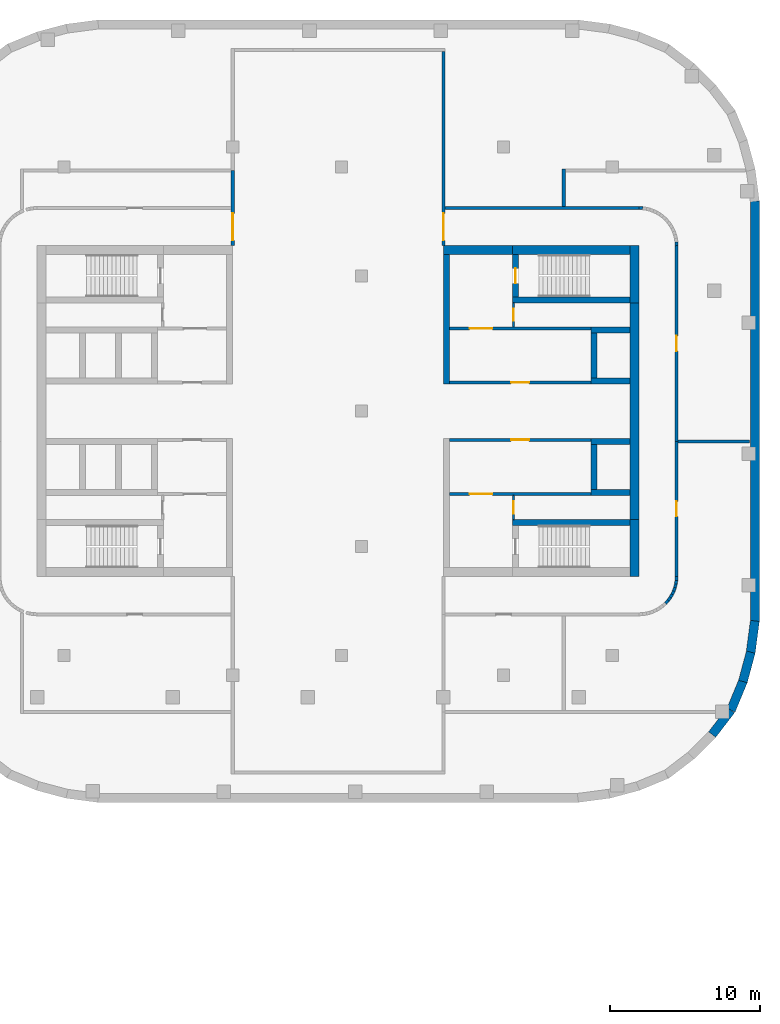
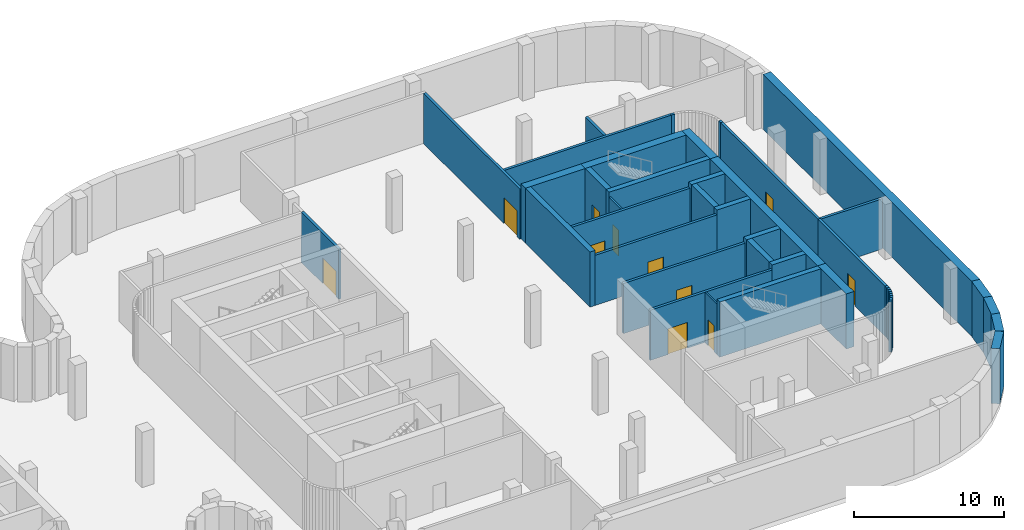
# One storey, part 12 of 16: 43 walls, 11 doors, 11 openings.
"""IFC4 building model written with IfcOpenShell, lengths in metres."""

from ifc_helpers import new_model, si_unit, direction, frame, frame_2d, origin, place, context, subcontext, project, spatial, rectangle, extrude, material, layer, layer_set, type_object, element, fill, save


model = new_model("IFC4")

# Units and contexts
model_context = context("Model", 3, precision=1e-05, world=origin(), true_north=direction((0.0, 1.0)))
body_context = subcontext(model_context, "Body", "Model", "MODEL_VIEW")
ifc_project = project(units=[si_unit("LENGTHUNIT", "METRE"), si_unit("AREAUNIT", "SQUARE_METRE"), si_unit("VOLUMEUNIT", "CUBIC_METRE"), si_unit("PLANEANGLEUNIT", "RADIAN"), si_unit("MASSUNIT", "GRAM", prefix="KILO")], contexts=[model_context])

# Site, building, storey
site_placement = place(None, origin())
site = spatial("IfcSite", under=ifc_project, at=site_placement, CompositionType="ELEMENT")
building_placement = place(site_placement, origin())
building = spatial("IfcBuilding", under=site, at=building_placement, Name="Skarvind Civic Tower", CompositionType="ELEMENT")
storey_placement = place(building_placement, frame((0.0, 0.0, -4.5)))
storey = spatial("IfcBuildingStorey", under=building, at=storey_placement, Name="B1", CompositionType="ELEMENT", Elevation=-4.5)

# Walls
ifc_material_1 = material(Name="Concrete C40", Category="concrete")
ifc_layer_1 = layer(ifc_material_1, 0.60009765625)
ifc_layer_set_1 = layer_set([ifc_layer_1], Name="Basement retaining wall 600 C40")
wall_type_1 = type_object("IfcWallType", Name="Basement retaining wall 600 C40", PredefinedType="SHEAR", material=ifc_layer_set_1)
wall_1_placement = place(storey_placement, frame((174.699951171875, 141.978271484375, 0.0), z_axis=(0.0, 0.0, 1.0), x_axis=(0.0, -1.0, 0.0)))
element("IfcWall", 1, at=wall_1_placement, inside=storey, type_object=wall_type_1, Name="Basement retaining wall B1 53", PredefinedType="SHEAR", context=body_context, shape_type="SweptSolid", body=[
    extrude(rectangle(XDim=27.95654296875, YDim=0.60009765625, at=frame_2d((13.978271484375, 0.0))), origin(), (0.0, 0.0, 1.0), 4.5),
])
wall_2_placement = place(storey_placement, frame((174.70263671875, 114.06103515625, 0.0), z_axis=(0.0, 0.0, 1.0), x_axis=(-0.130558200013, -0.991440646942, 0.0)))
element("IfcWall", 2, at=wall_2_placement, inside=storey, type_object=wall_type_1, Name="Basement retaining wall B1 54", PredefinedType="SHEAR", context=body_context, shape_type="SweptSolid", body=[
    extrude(rectangle(XDim=2.1318359375, YDim=0.60009765625, at=frame_2d((1.06591796875, 0.0))), origin(), (0.0, 0.0, 1.0), 4.5),
])
wall_3_placement = place(storey_placement, frame((174.431884765625, 111.986083984375, 0.0), z_axis=(0.0, 0.0, 1.0), x_axis=(-0.258804467146, -0.965929732323, 0.0)))
element("IfcWall", 3, at=wall_3_placement, inside=storey, type_object=wall_type_1, Name="Basement retaining wall B1 55", PredefinedType="SHEAR", context=body_context, shape_type="SweptSolid", body=[
    extrude(rectangle(XDim=2.0224609375, YDim=0.60009765625, at=frame_2d((1.01123046875, 0.0))), origin(), (0.0, 0.0, 1.0), 4.5),
])
wall_4_placement = place(storey_placement, frame((173.921142578125, 110.0693359375, 0.0), z_axis=(0.0, 0.0, 1.0), x_axis=(-0.382375593358, -0.924006983526, 0.0)))
element("IfcWall", 4, at=wall_4_placement, inside=storey, type_object=wall_type_1, Name="Basement retaining wall B1 56", PredefinedType="SHEAR", context=body_context, shape_type="SweptSolid", body=[
    extrude(rectangle(XDim=2.114013671875, YDim=0.60009765625, at=frame_2d((1.05712890625, 0.0))), origin(), (0.0, 0.0, 1.0), 4.5),
])
wall_5_placement = place(storey_placement, frame((173.109375, 108.12841796875, 0.0), z_axis=(0.0, 0.0, 1.0), x_axis=(-0.609058260448, -0.793125485267, 0.0)))
element("IfcWall", 5, at=wall_5_placement, inside=storey, type_object=wall_type_1, Name="Basement retaining wall B1 57", PredefinedType="SHEAR", context=body_context, shape_type="SweptSolid", body=[
    extrude(rectangle(XDim=2.0439453125, YDim=0.60009765625, at=frame_2d((1.02197265625, 0.0))), origin(), (0.0, 0.0, 1.0), 4.5),
])

# Wall, opening, door
ifc_material_2 = material(Name="Fire-rated masonry partition", Category="masonry")
ifc_layer_2 = layer(ifc_material_2, 0.199951171875)
ifc_layer_set_2 = layer_set([ifc_layer_2], Name="Core enclosure wall 200")
wall_type_2 = type_object("IfcWallType", Name="Core enclosure wall 200", PredefinedType="PARTITIONING", material=ifc_layer_set_2)
wall_6_placement = place(storey_placement, frame((163.800048828125, 126.10009765625, 0.0), z_axis=(0.0, 0.0, 1.0), x_axis=(-1.0, 0.0, 0.0)))
wall_6 = element("IfcWall", 6, at=wall_6_placement, inside=storey, type_object=wall_type_2, Name="Core wall CB", PredefinedType="PARTITIONING", context=body_context, shape_type="SweptSolid", body=[
    extrude(rectangle(XDim=9.400146484375, YDim=0.199951171875, at=frame_2d((4.7001953125, 0.0))), origin(), (0.0, 0.0, 1.0), 4.10009765625),
])
opening_1_placement = place(wall_6_placement, frame((4.10009765625, 0.0, 0.0)))
opening_1 = element("IfcOpeningElement", 7, at=opening_1_placement, cuts=wall_6, Name="Opening D-B1-CB-01", PredefinedType="OPENING", context=body_context, shape_type="SweptSolid", body=[
    extrude(rectangle(XDim=1.199951171875, YDim=2.10009765625, at=frame_2d((0.60009765625, 1.050048828125))), frame((0.0, 0.10986328125, 0.0), z_axis=(0.0, -1.0, 0.0), x_axis=(1.0, 0.0, 0.0)), (0.0, 0.0, 1.0), 0.219970703125),
])
ifc_material_3 = material(Name="Fire-rated steel door", Category="steel")
door_type_1 = type_object("IfcDoorType", Name="Core lobby door 1200", OperationType="NOTDEFINED", PredefinedType="DOOR", material=ifc_material_3)
door_1_placement = place(opening_1_placement, origin())
door_1 = element("IfcDoor", 8, at=door_1_placement, inside=storey, type_object=door_type_1, Name="Fire door", OperationType="DOUBLE_DOOR_SINGLE_SWING", OverallHeight=2.10009765625, OverallWidth=1.199951171875, PredefinedType="DOOR", context=body_context, shape_type="SweptSolid", body=[
    extrude(rectangle(XDim=1.199951171875, YDim=2.10009765625, at=frame_2d((0.60009765625, 1.050048828125))), frame((0.0, 0.02490234375, 0.0), z_axis=(0.0, -1.0, 0.0), x_axis=(1.0, 0.0, 0.0)), (0.0, 0.0, 1.0), 0.050048828125),
])
fill(opening_1, door_1)

wall_7_placement = place(storey_placement, frame((163.800048828125, 122.5, 0.0), z_axis=(0.0, 0.0, 1.0), x_axis=(-1.0, 0.0, 0.0)))
wall_7 = element("IfcWall", 9, at=wall_7_placement, inside=storey, type_object=wall_type_2, Name="Core wall CB", PredefinedType="PARTITIONING", context=body_context, shape_type="SweptSolid", body=[
    extrude(rectangle(XDim=9.400146484375, YDim=0.199951171875, at=frame_2d((4.7001953125, 0.0))), origin(), (0.0, 0.0, 1.0), 4.10009765625),
])
opening_2_placement = place(wall_7_placement, frame((6.550048828125, 0.0, 0.0)))
opening_2 = element("IfcOpeningElement", 10, at=opening_2_placement, cuts=wall_7, Name="Opening D-B1-CB-02", PredefinedType="OPENING", context=body_context, shape_type="SweptSolid", body=[
    extrude(rectangle(XDim=1.5, YDim=2.10009765625, at=frame_2d((0.75, 1.050048828125))), frame((0.0, 0.10986328125, 0.0), z_axis=(0.0, -1.0, 0.0), x_axis=(1.0, 0.0, 0.0)), (0.0, 0.0, 1.0), 0.219970703125),
])
door_type_2 = type_object("IfcDoorType", Name="Fire door 1500", OperationType="NOTDEFINED", PredefinedType="DOOR", material=ifc_material_3)
door_2_placement = place(opening_2_placement, origin())
door_2 = element("IfcDoor", 11, at=door_2_placement, inside=storey, type_object=door_type_2, Name="Fire door", OperationType="DOUBLE_DOOR_SINGLE_SWING", OverallHeight=2.10009765625, OverallWidth=1.5, PredefinedType="DOOR", context=body_context, shape_type="SweptSolid", body=[
    extrude(rectangle(XDim=1.5, YDim=2.10009765625, at=frame_2d((0.75, 1.050048828125))), frame((0.0, 0.02490234375, 0.0), z_axis=(0.0, -1.0, 0.0), x_axis=(1.0, 0.0, 0.0)), (0.0, 0.0, 1.0), 0.050048828125),
])
fill(opening_2, door_2)

wall_8_placement = place(storey_placement, frame((154.39990234375, 129.89990234375, 0.0), z_axis=(0.0, 0.0, 1.0), x_axis=(1.0, 0.0, 0.0)))
wall_8 = element("IfcWall", 12, at=wall_8_placement, inside=storey, type_object=wall_type_2, Name="Core wall CB", PredefinedType="PARTITIONING", context=body_context, shape_type="SweptSolid", body=[
    extrude(rectangle(XDim=9.400146484375, YDim=0.199951171875, at=frame_2d((4.7001953125, 0.0))), origin(), (0.0, 0.0, 1.0), 4.10009765625),
])
opening_3_placement = place(wall_8_placement, frame((4.10009765625, 0.0, 0.0)))
opening_3 = element("IfcOpeningElement", 13, at=opening_3_placement, cuts=wall_8, Name="Opening D-B1-CB-05", PredefinedType="OPENING", context=body_context, shape_type="SweptSolid", body=[
    extrude(rectangle(XDim=1.199951171875, YDim=2.10009765625, at=frame_2d((0.60009765625, 1.050048828125))), frame((0.0, 0.10986328125, 0.0), z_axis=(0.0, -1.0, 0.0), x_axis=(1.0, 0.0, 0.0)), (0.0, 0.0, 1.0), 0.219970703125),
])
door_3_placement = place(opening_3_placement, origin())
door_3 = element("IfcDoor", 14, at=door_3_placement, inside=storey, type_object=door_type_1, Name="Fire door", OperationType="DOUBLE_DOOR_SINGLE_SWING", OverallHeight=2.10009765625, OverallWidth=1.199951171875, PredefinedType="DOOR", context=body_context, shape_type="SweptSolid", body=[
    extrude(rectangle(XDim=1.199951171875, YDim=2.10009765625, at=frame_2d((0.60009765625, 1.050048828125))), frame((0.0, 0.02490234375, 0.0), z_axis=(0.0, -1.0, 0.0), x_axis=(1.0, 0.0, 0.0)), (0.0, 0.0, 1.0), 0.050048828125),
])
fill(opening_3, door_3)

wall_9_placement = place(storey_placement, frame((154.39990234375, 133.5, 0.0), z_axis=(0.0, 0.0, 1.0), x_axis=(1.0, 0.0, 0.0)))
wall_9 = element("IfcWall", 15, at=wall_9_placement, inside=storey, type_object=wall_type_2, Name="Core wall CB", PredefinedType="PARTITIONING", context=body_context, shape_type="SweptSolid", body=[
    extrude(rectangle(XDim=9.400146484375, YDim=0.199951171875, at=frame_2d((4.7001953125, 0.0))), origin(), (0.0, 0.0, 1.0), 4.10009765625),
])
opening_4_placement = place(wall_9_placement, frame((1.35009765625, 0.0, 0.0)))
opening_4 = element("IfcOpeningElement", 16, at=opening_4_placement, cuts=wall_9, Name="Opening D-B1-CB-06", PredefinedType="OPENING", context=body_context, shape_type="SweptSolid", body=[
    extrude(rectangle(XDim=1.5, YDim=2.10009765625, at=frame_2d((0.75, 1.050048828125))), frame((0.0, 0.10986328125, 0.0), z_axis=(0.0, -1.0, 0.0), x_axis=(1.0, 0.0, 0.0)), (0.0, 0.0, 1.0), 0.219970703125),
])
door_4_placement = place(opening_4_placement, origin())
door_4 = element("IfcDoor", 17, at=door_4_placement, inside=storey, type_object=door_type_2, Name="Fire door", OperationType="DOUBLE_DOOR_SINGLE_SWING", OverallHeight=2.10009765625, OverallWidth=1.5, PredefinedType="DOOR", context=body_context, shape_type="SweptSolid", body=[
    extrude(rectangle(XDim=1.5, YDim=2.10009765625, at=frame_2d((0.75, 1.050048828125))), frame((0.0, 0.02490234375, 0.0), z_axis=(0.0, -1.0, 0.0), x_axis=(1.0, 0.0, 0.0)), (0.0, 0.0, 1.0), 0.050048828125),
])
fill(opening_4, door_4)

# Wall
ifc_material_4 = material(Name="Concrete C80", Category="concrete")
ifc_layer_3 = layer(ifc_material_4, 0.39990234375)
ifc_layer_set_3 = layer_set([ifc_layer_3], Name="Core wall 400 C80")
wall_type_3 = type_object("IfcWallType", Name="Core wall 400 C80", PredefinedType="SHEAR", material=ifc_layer_set_3)
wall_10_placement = place(storey_placement, frame((166.39990234375, 135.39990234375, 0.0), z_axis=(0.0, 0.0, 1.0), x_axis=(-1.0, 0.0, 0.0)))
element("IfcWall", 18, at=wall_10_placement, inside=storey, type_object=wall_type_3, Name="Core wall CB south stair inner B1", PredefinedType="SHEAR", context=body_context, shape_type="SweptSolid", body=[
    extrude(rectangle(XDim=7.7998046875, YDim=0.39990234375, at=frame_2d((3.89990234375, 0.0))), origin(), (0.0, 0.0, 1.0), 4.5),
])

# Wall, opening, door
wall_11_placement = place(storey_placement, frame((158.800048828125, 138.39990234375, 0.0), z_axis=(0.0, 0.0, 1.0), x_axis=(0.0, -1.0, 0.0)))
wall_11 = element("IfcWall", 19, at=wall_11_placement, inside=storey, type_object=wall_type_3, Name="Core wall CB south stair end B1", PredefinedType="SHEAR", context=body_context, shape_type="SweptSolid", body=[
    extrude(rectangle(XDim=2.7998046875, YDim=0.39990234375, at=frame_2d((1.39990234375, 0.0))), origin(), (0.0, 0.0, 1.0), 4.5),
])
opening_5_placement = place(wall_11_placement, frame((0.89990234375, 0.0, 0.0)))
opening_5 = element("IfcOpeningElement", 20, at=opening_5_placement, cuts=wall_11, Name="Opening D-B1-CB-07", PredefinedType="OPENING", context=body_context, shape_type="SweptSolid", body=[
    extrude(rectangle(XDim=1.0, YDim=2.10009765625, at=frame_2d((0.5, 1.050048828125))), frame((0.0, 0.2099609375, 0.0), z_axis=(0.0, -1.0, 0.0), x_axis=(1.0, 0.0, 0.0)), (0.0, 0.0, 1.0), 0.419921875),
])
door_type_3 = type_object("IfcDoorType", Name="Fire door 1000", OperationType="NOTDEFINED", PredefinedType="DOOR", material=ifc_material_3)
door_5_placement = place(opening_5_placement, origin())
door_5 = element("IfcDoor", 21, at=door_5_placement, inside=storey, type_object=door_type_3, Name="Fire door", OperationType="SINGLE_SWING_RIGHT", OverallHeight=2.10009765625, OverallWidth=1.0, PredefinedType="DOOR", context=body_context, shape_type="SweptSolid", body=[
    extrude(rectangle(XDim=1.0, YDim=2.10009765625, at=frame_2d((0.5, 1.050048828125))), frame((0.0, 0.02490234375, 0.0), z_axis=(0.0, -1.0, 0.0), x_axis=(1.0, 0.0, 0.0)), (0.0, 0.0, 1.0), 0.050048828125),
])
fill(opening_5, door_5)

# Walls
wall_12_placement = place(storey_placement, frame((166.39990234375, 120.60009765625, 0.0), z_axis=(0.0, 0.0, 1.0), x_axis=(-1.0, 0.0, 0.0)))
element("IfcWall", 22, at=wall_12_placement, inside=storey, type_object=wall_type_3, Name="Core wall CB north stair inner B1", PredefinedType="SHEAR", context=body_context, shape_type="SweptSolid", body=[
    extrude(rectangle(XDim=7.7998046875, YDim=0.39990234375, at=frame_2d((3.89990234375, 0.0))), origin(), (0.0, 0.0, 1.0), 4.5),
])
for number, where, z_axis, x_axis, name in (
    (23, (166.39990234375, 130.0, 0.0), (0.0, 0.0, 1.0), (-1.0, 0.0, 0.0), "Core wall CB south lift row front B1"),
    (24, (166.39990234375, 133.39990234375, 0.0), (0.0, 0.0, 1.0), (-1.0, 0.0, 0.0), "Core wall CB south lift row back B1"),
):
    element("IfcWall", number, at=place(storey_placement, frame(where, z_axis=z_axis, x_axis=x_axis)), inside=storey, type_object=wall_type_3, Name=name, PredefinedType="SHEAR", context=body_context, shape_type="SweptSolid", body=[
        extrude(rectangle(XDim=2.599853515625, YDim=0.39990234375, at=frame_2d((1.2998046875, 0.0))), origin(), (0.0, 0.0, 1.0), 4.5),
    ])
wall_13_placement = place(storey_placement, frame((164.0, 133.199951171875, 0.0), z_axis=(0.0, 0.0, 1.0), x_axis=(0.0, -1.0, 0.0)))
element("IfcWall", 25, at=wall_13_placement, inside=storey, type_object=wall_type_3, Name="Core wall CB south lift row division 1 B1", PredefinedType="SHEAR", context=body_context, shape_type="SweptSolid", body=[
    extrude(rectangle(XDim=3.0, YDim=0.39990234375, at=frame_2d((1.5, 0.0))), origin(), (0.0, 0.0, 1.0), 4.5),
])
for number, where, z_axis, x_axis, name in (
    (26, (166.39990234375, 126.0, 0.0), (0.0, 0.0, 1.0), (-1.0, 0.0, 0.0), "Core wall CB north lift row front B1"),
    (27, (166.39990234375, 122.60009765625, 0.0), (0.0, 0.0, 1.0), (-1.0, 0.0, 0.0), "Core wall CB north lift row back B1"),
):
    element("IfcWall", number, at=place(storey_placement, frame(where, z_axis=z_axis, x_axis=x_axis)), inside=storey, type_object=wall_type_3, Name=name, PredefinedType="SHEAR", context=body_context, shape_type="SweptSolid", body=[
        extrude(rectangle(XDim=2.599853515625, YDim=0.39990234375, at=frame_2d((1.2998046875, 0.0))), origin(), (0.0, 0.0, 1.0), 4.5),
    ])
wall_14_placement = place(storey_placement, frame((164.0, 125.800048828125, 0.0), z_axis=(0.0, 0.0, 1.0), x_axis=(0.0, -1.0, 0.0)))
element("IfcWall", 28, at=wall_14_placement, inside=storey, type_object=wall_type_3, Name="Core wall CB north lift row division 1 B1", PredefinedType="SHEAR", context=body_context, shape_type="SweptSolid", body=[
    extrude(rectangle(XDim=3.0, YDim=0.39990234375, at=frame_2d((1.5, 0.0))), origin(), (0.0, 0.0, 1.0), 4.5),
])
wall_15_placement = place(storey_placement, frame((154.199951171875, 138.39990234375, 0.0), z_axis=(0.0, 0.0, 1.0), x_axis=(0.0, -1.0, 0.0)))
element("IfcWall", 29, at=wall_15_placement, inside=storey, type_object=wall_type_3, Name="Core wall CB south inner face B1", PredefinedType="SHEAR", context=body_context, shape_type="SweptSolid", body=[
    extrude(rectangle(XDim=8.599853515625, YDim=0.39990234375, at=frame_2d((4.2998046875, 0.0))), origin(), (0.0, 0.0, 1.0), 4.5),
])
ifc_layer_4 = layer(ifc_material_4, 0.60009765625)
ifc_layer_set_4 = layer_set([ifc_layer_4], Name="Core wall 600 C80")
wall_type_4 = type_object("IfcWallType", Name="Core wall 600 C80", PredefinedType="SHEAR", material=ifc_layer_set_4)
wall_16_placement = place(storey_placement, frame((166.699951171875, 139.0, 0.0), z_axis=(0.0, 0.0, 1.0), x_axis=(0.0, -1.0, 0.0)))
element("IfcWall", 30, at=wall_16_placement, inside=storey, type_object=wall_type_4, Name="Core wall CB tip at the south stair B1", PredefinedType="SHEAR", context=body_context, shape_type="SweptSolid", body=[
    extrude(rectangle(XDim=3.800048828125, YDim=0.60009765625, at=frame_2d((1.89990234375, 0.0))), origin(), (0.0, 0.0, 1.0), 4.5),
])
wall_17_placement = place(storey_placement, frame((166.699951171875, 135.199951171875, 0.0), z_axis=(0.0, 0.0, 1.0), x_axis=(0.0, -1.0, 0.0)))
element("IfcWall", 31, at=wall_17_placement, inside=storey, type_object=wall_type_4, Name="Core wall CB tip between the stairs B1", PredefinedType="SHEAR", context=body_context, shape_type="SweptSolid", body=[
    extrude(rectangle(XDim=14.39990234375, YDim=0.60009765625, at=frame_2d((7.199951171875, 0.0))), origin(), (0.0, 0.0, 1.0), 4.5),
])
wall_18_placement = place(storey_placement, frame((166.699951171875, 120.800048828125, 0.0), z_axis=(0.0, 0.0, 1.0), x_axis=(0.0, -1.0, 0.0)))
element("IfcWall", 32, at=wall_18_placement, inside=storey, type_object=wall_type_4, Name="Core wall CB tip at the north stair B1", PredefinedType="SHEAR", context=body_context, shape_type="SweptSolid", body=[
    extrude(rectangle(XDim=3.800048828125, YDim=0.60009765625, at=frame_2d((1.89990234375, 0.0))), origin(), (0.0, 0.0, 1.0), 4.5),
])
wall_19_placement = place(storey_placement, frame((166.39990234375, 138.699951171875, 0.0), z_axis=(0.0, 0.0, 1.0), x_axis=(-1.0, 0.0, 0.0)))
element("IfcWall", 33, at=wall_19_placement, inside=storey, type_object=wall_type_4, Name="Core wall CB south side at the stair B1", PredefinedType="SHEAR", context=body_context, shape_type="SweptSolid", body=[
    extrude(rectangle(XDim=7.7998046875, YDim=0.60009765625, at=frame_2d((3.89990234375, 0.0))), origin(), (0.0, 0.0, 1.0), 4.5),
])
wall_20_placement = place(storey_placement, frame((158.60009765625, 138.699951171875, 0.0), z_axis=(0.0, 0.0, 1.0), x_axis=(-1.0, 0.0, 0.0)))
element("IfcWall", 34, at=wall_20_placement, inside=storey, type_object=wall_type_4, Name="Core wall CB south side B1", PredefinedType="SHEAR", context=body_context, shape_type="SweptSolid", body=[
    extrude(rectangle(XDim=4.60009765625, YDim=0.60009765625, at=frame_2d((2.300048828125, 0.0))), origin(), (0.0, 0.0, 1.0), 4.5),
])
ifc_material_5 = material(Name="Fire-rated blockwork wall, plastered", Category="masonry")
ifc_layer_5 = layer(ifc_material_5, 0.199951171875)
ifc_layer_set_5 = layer_set([ifc_layer_5], Name="FIRE WALL 200 EI 120")
wall_type_5 = type_object("IfcWallType", Name="FIRE WALL 200 EI 120", PredefinedType="PARTITIONING", material=ifc_layer_set_5)
wall_21_placement = place(storey_placement, frame((168.764892578125, 115.22802734375, 0.0), z_axis=(0.0, 0.0, 1.0), x_axis=(0.66938668015, 0.742914175687, 0.0)))
element("IfcWall", 35, at=wall_21_placement, inside=storey, type_object=wall_type_5, Name="Basement partition B1 105", PredefinedType="PARTITIONING", context=body_context, shape_type="SweptSolid", body=[
    extrude(rectangle(XDim=0.255615234375, YDim=0.199951171875, at=frame_2d((0.1279296875, 0.0))), origin(), (0.0, 0.0, 1.0), 4.10009765625),
])
wall_22_placement = place(storey_placement, frame((168.929931640625, 115.409912109375, 0.0), z_axis=(0.0, 0.0, 1.0), x_axis=(0.595707657713, 0.803201336243, 0.0)))
element("IfcWall", 36, at=wall_22_placement, inside=storey, type_object=wall_type_5, Name="Basement partition B1 107", PredefinedType="PARTITIONING", context=body_context, shape_type="SweptSolid", body=[
    extrude(rectangle(XDim=0.25537109375, YDim=0.199951171875, at=frame_2d((0.127685546875, 0.0))), origin(), (0.0, 0.0, 1.0), 4.10009765625),
])
wall_23_placement = place(storey_placement, frame((169.075927734375, 115.60693359375, 0.0), z_axis=(0.0, 0.0, 1.0), x_axis=(0.513651517527, 0.857998903579, 0.0)))
element("IfcWall", 37, at=wall_23_placement, inside=storey, type_object=wall_type_5, Name="Basement partition B1 109", PredefinedType="PARTITIONING", context=body_context, shape_type="SweptSolid", body=[
    extrude(rectangle(XDim=0.255126953125, YDim=0.199951171875, at=frame_2d((0.12744140625, 0.0))), origin(), (0.0, 0.0, 1.0), 4.10009765625),
])
wall_24_placement = place(storey_placement, frame((169.202880859375, 115.818115234375, 0.0), z_axis=(0.0, 0.0, 1.0), x_axis=(0.4287046499, 0.903444698448, 0.0)))
element("IfcWall", 38, at=wall_24_placement, inside=storey, type_object=wall_type_5, Name="Basement partition B1 111", PredefinedType="PARTITIONING", context=body_context, shape_type="SweptSolid", body=[
    extrude(rectangle(XDim=0.254638671875, YDim=0.199951171875, at=frame_2d((0.12744140625, 0.0))), origin(), (0.0, 0.0, 1.0), 4.10009765625),
])
wall_25_placement = place(storey_placement, frame((169.30810546875, 116.0380859375, 0.0), z_axis=(0.0, 0.0, 1.0), x_axis=(0.337125007331, 0.941459892631, 0.0)))
element("IfcWall", 39, at=wall_25_placement, inside=storey, type_object=wall_type_5, Name="Basement partition B1 113", PredefinedType="PARTITIONING", context=body_context, shape_type="SweptSolid", body=[
    extrude(rectangle(XDim=0.2548828125, YDim=0.199951171875, at=frame_2d((0.12744140625, 0.0))), origin(), (0.0, 0.0, 1.0), 4.10009765625),
])
wall_26_placement = place(storey_placement, frame((169.39111328125, 116.26904296875, 0.0), z_axis=(0.0, 0.0, 1.0), x_axis=(0.241636616978, 0.970366809683, 0.0)))
element("IfcWall", 40, at=wall_26_placement, inside=storey, type_object=wall_type_5, Name="Basement partition B1 115", PredefinedType="PARTITIONING", context=body_context, shape_type="SweptSolid", body=[
    extrude(rectangle(XDim=0.255615234375, YDim=0.199951171875, at=frame_2d((0.1279296875, 0.0))), origin(), (0.0, 0.0, 1.0), 4.10009765625),
])
wall_27_placement = place(storey_placement, frame((169.450927734375, 116.507080078125, 0.0), z_axis=(0.0, 0.0, 1.0), x_axis=(0.148900521377, 0.988852180426, 0.0)))
element("IfcWall", 41, at=wall_27_placement, inside=storey, type_object=wall_type_5, Name="Basement partition B1 117", PredefinedType="PARTITIONING", context=body_context, shape_type="SweptSolid", body=[
    extrude(rectangle(XDim=0.255859375, YDim=0.199951171875, at=frame_2d((0.1279296875, 0.0))), origin(), (0.0, 0.0, 1.0), 4.10009765625),
])
wall_28_placement = place(storey_placement, frame((169.488037109375, 116.75, 0.0), z_axis=(0.0, 0.0, 1.0), x_axis=(0.047427190102, 0.998874697667, 0.0)))
element("IfcWall", 42, at=wall_28_placement, inside=storey, type_object=wall_type_5, Name="Basement partition B1 119", PredefinedType="PARTITIONING", context=body_context, shape_type="SweptSolid", body=[
    extrude(rectangle(XDim=0.252197265625, YDim=0.199951171875, at=frame_2d((0.1259765625, 0.0))), origin(), (0.0, 0.0, 1.0), 4.10009765625),
])

# Wall, opening, door
wall_29_placement = place(storey_placement, frame((169.5, 126.0, 0.0), z_axis=(0.0, 0.0, 1.0), x_axis=(0.0, -1.0, 0.0)))
wall_29 = element("IfcWall", 43, at=wall_29_placement, inside=storey, type_object=wall_type_5, Name="Basement partition B1 121", PredefinedType="PARTITIONING", context=body_context, shape_type="SweptSolid", body=[
    extrude(rectangle(XDim=9.001953125, YDim=0.199951171875, at=frame_2d((4.5009765625, 0.0))), origin(), (0.0, 0.0, 1.0), 4.10009765625),
])
opening_6_placement = place(wall_29_placement, frame((3.998046875, 0.0, 0.0)))
opening_6 = element("IfcOpeningElement", 44, at=opening_6_placement, cuts=wall_29, Name="Opening B1-D218", PredefinedType="OPENING", context=body_context, shape_type="SweptSolid", body=[
    extrude(rectangle(XDim=1.0, YDim=2.10009765625, at=frame_2d((0.5, 1.050048828125))), frame((0.0, 0.10986328125, 0.0), z_axis=(0.0, -1.0, 0.0), x_axis=(1.0, 0.0, 0.0)), (0.0, 0.0, 1.0), 0.219970703125),
])
ifc_material_6 = material(Name="Painted steel fire door leaf", Category="steel")
door_type_4 = type_object("IfcDoorType", Name="FIRE DOOR 1000X2100 STEEL", OperationType="NOTDEFINED", PredefinedType="DOOR", material=ifc_material_6)
door_6_placement = place(opening_6_placement, origin())
door_6 = element("IfcDoor", 45, at=door_6_placement, inside=storey, type_object=door_type_4, Name="FIRE DOOR", OperationType="SINGLE_SWING_RIGHT", OverallHeight=2.10009765625, OverallWidth=1.0, PredefinedType="DOOR", context=body_context, shape_type="SweptSolid", body=[
    extrude(rectangle(XDim=1.0, YDim=2.10009765625, at=frame_2d((0.5, 1.050048828125))), frame((0.0, 0.02490234375, 0.0), z_axis=(0.0, -1.0, 0.0), x_axis=(1.0, 0.0, 0.0)), (0.0, 0.0, 1.0), 0.050048828125),
])
fill(opening_6, door_6)

# Wall
wall_30_placement = place(storey_placement, frame((169.60009765625, 126.0, 0.0), z_axis=(0.0, 0.0, 1.0), x_axis=(1.0, 0.0, 0.0)))
element("IfcWall", 46, at=wall_30_placement, inside=storey, type_object=wall_type_5, Name="Basement partition B1 123", PredefinedType="PARTITIONING", context=body_context, shape_type="SweptSolid", body=[
    extrude(rectangle(XDim=4.75, YDim=0.199951171875, at=frame_2d((2.375, 0.0))), origin(), (0.0, 0.0, 1.0), 4.10009765625),
])

# Wall, opening, door
ifc_layer_6 = layer(ifc_material_5, 0.199951171875)
ifc_layer_set_6 = layer_set([ifc_layer_6], Name="FIRE WALL 200 EI 60")
wall_type_6 = type_object("IfcWallType", Name="FIRE WALL 200 EI 60", PredefinedType="PARTITIONING", material=ifc_layer_set_6)
wall_31_placement = place(storey_placement, frame((140.0, 139.0, 0.0), z_axis=(0.0, 0.0, 1.0), x_axis=(0.0, 1.0, 0.0)))
wall_31 = element("IfcWall", 47, at=wall_31_placement, inside=storey, type_object=wall_type_6, Name="Basement partition B1 075", PredefinedType="PARTITIONING", context=body_context, shape_type="SweptSolid", body=[
    extrude(rectangle(XDim=5.0, YDim=0.199951171875, at=frame_2d((2.5, 0.0))), origin(), (0.0, 0.0, 1.0), 4.10009765625),
])
opening_7_placement = place(wall_31_placement, frame((0.35009765625, 0.0, 0.0)))
opening_7 = element("IfcOpeningElement", 48, at=opening_7_placement, cuts=wall_31, Name="Opening B1-D215", PredefinedType="OPENING", context=body_context, shape_type="SweptSolid", body=[
    extrude(rectangle(XDim=1.800048828125, YDim=2.10009765625, at=frame_2d((0.89990234375, 1.050048828125))), frame((0.0, 0.10986328125, 0.0), z_axis=(0.0, -1.0, 0.0), x_axis=(1.0, 0.0, 0.0)), (0.0, 0.0, 1.0), 0.219970703125),
])
door_type_5 = type_object("IfcDoorType", Name="FIRE DOOR 1800X2100 DOUBLE STEEL", OperationType="NOTDEFINED", PredefinedType="DOOR", material=ifc_material_6)
door_7_placement = place(opening_7_placement, origin())
door_7 = element("IfcDoor", 49, at=door_7_placement, inside=storey, type_object=door_type_5, Name="FIRE DOOR", OperationType="DOUBLE_DOOR_SINGLE_SWING", OverallHeight=2.10009765625, OverallWidth=1.800048828125, PredefinedType="DOOR", context=body_context, shape_type="SweptSolid", body=[
    extrude(rectangle(XDim=1.800048828125, YDim=2.10009765625, at=frame_2d((0.89990234375, 1.050048828125))), frame((0.0, 0.02490234375, 0.0), z_axis=(0.0, -1.0, 0.0), x_axis=(1.0, 0.0, 0.0)), (0.0, 0.0, 1.0), 0.050048828125),
])
fill(opening_7, door_7)

wall_32_placement = place(storey_placement, frame((154.0, 151.89990234375, 0.0), z_axis=(0.0, 0.0, 1.0), x_axis=(0.0, -1.0, 0.0)))
wall_32 = element("IfcWall", 50, at=wall_32_placement, inside=storey, type_object=wall_type_6, Name="Basement partition B1 084", PredefinedType="PARTITIONING", context=body_context, shape_type="SweptSolid", body=[
    extrude(rectangle(XDim=12.89990234375, YDim=0.199951171875, at=frame_2d((6.449951171875, 0.0))), origin(), (0.0, 0.0, 1.0), 4.10009765625),
])
opening_8_placement = place(wall_32_placement, frame((10.75, 0.0, 0.0)))
opening_8 = element("IfcOpeningElement", 51, at=opening_8_placement, cuts=wall_32, Name="Opening B1-D216", PredefinedType="OPENING", context=body_context, shape_type="SweptSolid", body=[
    extrude(rectangle(XDim=1.800048828125, YDim=2.10009765625, at=frame_2d((0.89990234375, 1.050048828125))), frame((0.0, 0.10986328125, 0.0), z_axis=(0.0, -1.0, 0.0), x_axis=(1.0, 0.0, 0.0)), (0.0, 0.0, 1.0), 0.219970703125),
])
door_8_placement = place(opening_8_placement, origin())
door_8 = element("IfcDoor", 52, at=door_8_placement, inside=storey, type_object=door_type_5, Name="FIRE DOOR", OperationType="DOUBLE_DOOR_SINGLE_SWING", OverallHeight=2.10009765625, OverallWidth=1.800048828125, PredefinedType="DOOR", context=body_context, shape_type="SweptSolid", body=[
    extrude(rectangle(XDim=1.800048828125, YDim=2.10009765625, at=frame_2d((0.89990234375, 1.050048828125))), frame((0.0, 0.02490234375, 0.0), z_axis=(0.0, -1.0, 0.0), x_axis=(1.0, 0.0, 0.0)), (0.0, 0.0, 1.0), 0.050048828125),
])
fill(opening_8, door_8)

# Walls
wall_33_placement = place(storey_placement, frame((154.10009765625, 141.5, 0.0), z_axis=(0.0, 0.0, 1.0), x_axis=(1.0, 0.0, 0.0)))
element("IfcWall", 53, at=wall_33_placement, inside=storey, type_object=wall_type_6, Name="Basement partition B1 085", PredefinedType="PARTITIONING", context=body_context, shape_type="SweptSolid", body=[
    extrude(rectangle(XDim=12.90185546875, YDim=0.199951171875, at=frame_2d((6.450927734375, 0.0))), origin(), (0.0, 0.0, 1.0), 4.10009765625),
])
wall_34_placement = place(storey_placement, frame((162.0, 141.60009765625, 0.0), z_axis=(0.0, 0.0, 1.0), x_axis=(0.0, 1.0, 0.0)))
element("IfcWall", 54, at=wall_34_placement, inside=storey, type_object=wall_type_6, Name="Basement partition B1 087", PredefinedType="PARTITIONING", context=body_context, shape_type="SweptSolid", body=[
    extrude(rectangle(XDim=2.5, YDim=0.199951171875, at=frame_2d((1.25, 0.0))), origin(), (0.0, 0.0, 1.0), 4.10009765625),
])
for number, where, z_axis, x_axis, name in (
    (55, (166.998046875, 141.5, 0.0), (0.0, 0.0, 1.0), (0.998874697667, -0.047427190102, 0.0), "Basement partition B1 090"),
    (56, (169.488037109375, 139.25, 0.0), (0.0, 0.0, 1.0), (0.047427190102, -0.998874697667, 0.0), "Basement partition B1 120"),
):
    element("IfcWall", number, at=place(storey_placement, frame(where, z_axis=z_axis, x_axis=x_axis)), inside=storey, type_object=wall_type_6, Name=name, PredefinedType="PARTITIONING", context=body_context, shape_type="SweptSolid", body=[
        extrude(rectangle(XDim=0.252197265625, YDim=0.199951171875, at=frame_2d((0.1259765625, 0.0))), origin(), (0.0, 0.0, 1.0), 4.10009765625),
    ])

# Wall, opening, door
wall_35_placement = place(storey_placement, frame((169.5, 139.001953125, 0.0), z_axis=(0.0, 0.0, 1.0), x_axis=(0.0, -1.0, 0.0)))
wall_35 = element("IfcWall", 57, at=wall_35_placement, inside=storey, type_object=wall_type_6, Name="Basement partition B1 122", PredefinedType="PARTITIONING", context=body_context, shape_type="SweptSolid", body=[
    extrude(rectangle(XDim=13.001953125, YDim=0.199951171875, at=frame_2d((6.5009765625, 0.0))), origin(), (0.0, 0.0, 1.0), 4.10009765625),
])
opening_9_placement = place(wall_35_placement, frame((6.00390625, 0.0, 0.0)))
opening_9 = element("IfcOpeningElement", 58, at=opening_9_placement, cuts=wall_35, Name="Opening B1-D219", PredefinedType="OPENING", context=body_context, shape_type="SweptSolid", body=[
    extrude(rectangle(XDim=1.0, YDim=2.10009765625, at=frame_2d((0.5, 1.050048828125))), frame((0.0, 0.10986328125, 0.0), z_axis=(0.0, -1.0, 0.0), x_axis=(1.0, 0.0, 0.0)), (0.0, 0.0, 1.0), 0.219970703125),
])
door_9_placement = place(opening_9_placement, origin())
door_9 = element("IfcDoor", 59, at=door_9_placement, inside=storey, type_object=door_type_4, Name="FIRE DOOR", OperationType="SINGLE_SWING_LEFT", OverallHeight=2.10009765625, OverallWidth=1.0, PredefinedType="DOOR", context=body_context, shape_type="SweptSolid", body=[
    extrude(rectangle(XDim=1.0, YDim=2.10009765625, at=frame_2d((0.5, 1.050048828125))), frame((0.0, 0.02490234375, 0.0), z_axis=(0.0, -1.0, 0.0), x_axis=(1.0, 0.0, 0.0)), (0.0, 0.0, 1.0), 0.050048828125),
])
fill(opening_9, door_9)

ifc_layer_7 = layer(ifc_material_2, 0.125)
ifc_layer_set_7 = layer_set([ifc_layer_7], Name="Riser wall 125")
wall_type_7 = type_object("IfcWallType", Name="Riser wall 125", PredefinedType="PARTITIONING", material=ifc_layer_set_7)
wall_36_placement = place(storey_placement, frame((158.66259765625, 120.800048828125, 0.0), z_axis=(0.0, 0.0, 1.0), x_axis=(0.0, 1.0, 0.0)))
wall_36 = element("IfcWall", 60, at=wall_36_placement, inside=storey, type_object=wall_type_7, Name="Core wall CB", PredefinedType="PARTITIONING", context=body_context, shape_type="SweptSolid", body=[
    extrude(rectangle(XDim=1.599853515625, YDim=0.125, at=frame_2d((0.7998046875, 0.0))), origin(), (0.0, 0.0, 1.0), 4.10009765625),
])
opening_10_placement = place(wall_36_placement, frame((0.39990234375, 0.0, 0.0)))
opening_10 = element("IfcOpeningElement", 61, at=opening_10_placement, cuts=wall_36, Name="Opening D-B1-CB-04", PredefinedType="OPENING", context=body_context, shape_type="SweptSolid", body=[
    extrude(rectangle(XDim=0.800048828125, YDim=2.10009765625, at=frame_2d((0.39990234375, 1.050048828125))), frame((0.0, 0.072509765625, 0.0), z_axis=(0.0, -1.0, 0.0), x_axis=(1.0, 0.0, 0.0)), (0.0, 0.0, 1.0), 0.14501953125),
])
door_type_6 = type_object("IfcDoorType", Name="Core riser door 800", OperationType="NOTDEFINED", PredefinedType="DOOR", material=ifc_material_3)
door_10_placement = place(opening_10_placement, origin())
door_10 = element("IfcDoor", 62, at=door_10_placement, inside=storey, type_object=door_type_6, Name="Riser door", OperationType="SINGLE_SWING_RIGHT", OverallHeight=2.10009765625, OverallWidth=0.800048828125, PredefinedType="DOOR", context=body_context, shape_type="SweptSolid", body=[
    extrude(rectangle(XDim=0.800048828125, YDim=2.10009765625, at=frame_2d((0.39990234375, 1.050048828125))), frame((0.0, 0.02490234375, 0.0), z_axis=(0.0, -1.0, 0.0), x_axis=(1.0, 0.0, 0.0)), (0.0, 0.0, 1.0), 0.050048828125),
])
fill(opening_10, door_10)

wall_37_placement = place(storey_placement, frame((158.66259765625, 133.60009765625, 0.0), z_axis=(0.0, 0.0, 1.0), x_axis=(0.0, 1.0, 0.0)))
wall_37 = element("IfcWall", 63, at=wall_37_placement, inside=storey, type_object=wall_type_7, Name="Core wall CB", PredefinedType="PARTITIONING", context=body_context, shape_type="SweptSolid", body=[
    extrude(rectangle(XDim=1.599853515625, YDim=0.125, at=frame_2d((0.7998046875, 0.0))), origin(), (0.0, 0.0, 1.0), 4.10009765625),
])
opening_11_placement = place(wall_37_placement, frame((0.39990234375, 0.0, 0.0)))
opening_11 = element("IfcOpeningElement", 64, at=opening_11_placement, cuts=wall_37, Name="Opening D-B1-CB-08", PredefinedType="OPENING", context=body_context, shape_type="SweptSolid", body=[
    extrude(rectangle(XDim=0.800048828125, YDim=2.10009765625, at=frame_2d((0.39990234375, 1.050048828125))), frame((0.0, 0.072509765625, 0.0), z_axis=(0.0, -1.0, 0.0), x_axis=(1.0, 0.0, 0.0)), (0.0, 0.0, 1.0), 0.14501953125),
])
door_11_placement = place(opening_11_placement, origin())
door_11 = element("IfcDoor", 65, at=door_11_placement, inside=storey, type_object=door_type_6, Name="Riser door", OperationType="SINGLE_SWING_LEFT", OverallHeight=2.10009765625, OverallWidth=0.800048828125, PredefinedType="DOOR", context=body_context, shape_type="SweptSolid", body=[
    extrude(rectangle(XDim=0.800048828125, YDim=2.10009765625, at=frame_2d((0.39990234375, 1.050048828125))), frame((0.0, 0.02490234375, 0.0), z_axis=(0.0, -1.0, 0.0), x_axis=(1.0, 0.0, 0.0)), (0.0, 0.0, 1.0), 0.050048828125),
])
fill(opening_11, door_11)

save(model, "model.ifc")
